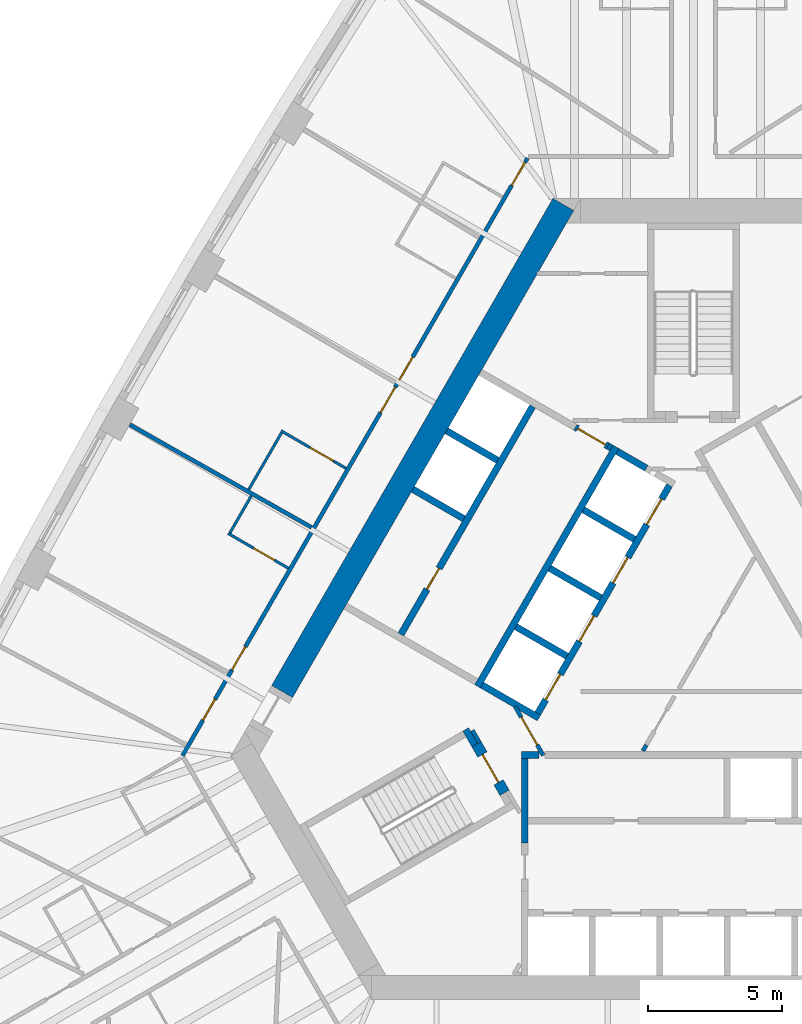
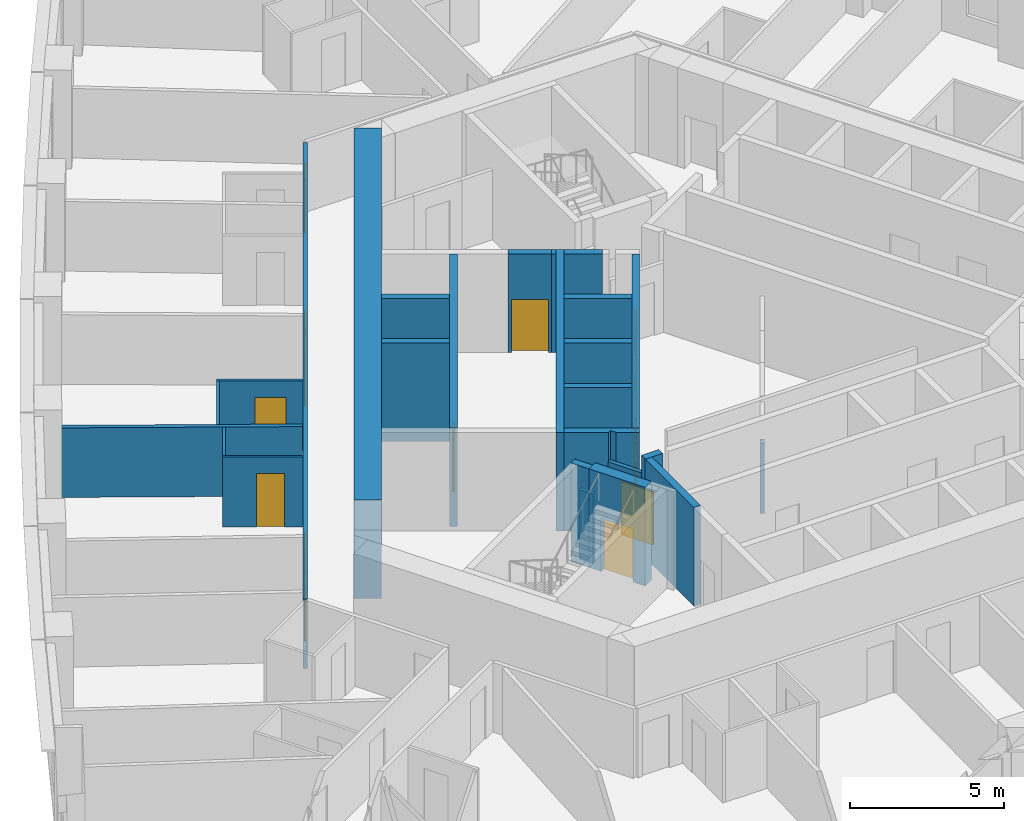
# One storey, part 5 of 13: 26 walls, 15 doors, 15 openings.
"""IFC4 building model written with IfcOpenShell, lengths in metres."""

from ifc_helpers import new_model, si_unit, direction, frame, frame_2d, origin, place, context, subcontext, project, spatial, polyline, rectangle, outline, extrude, material, layer, layer_set, type_object, element, fill, save


model = new_model("IFC4")

# Units and contexts
model_context = context("Model", 3, precision=1e-05, world=origin(), true_north=direction((0.0, 1.0)))
body_context = subcontext(model_context, "Body", "Model", "MODEL_VIEW")
ifc_project = project(units=[si_unit("LENGTHUNIT", "METRE"), si_unit("AREAUNIT", "SQUARE_METRE"), si_unit("VOLUMEUNIT", "CUBIC_METRE"), si_unit("PLANEANGLEUNIT", "RADIAN"), si_unit("MASSUNIT", "GRAM", prefix="KILO")], contexts=[model_context])

# Site, building, storey
site_placement = place(None, origin())
site = spatial("IfcSite", under=ifc_project, at=site_placement, CompositionType="ELEMENT")
building_placement = place(site_placement, origin())
building = spatial("IfcBuilding", under=site, at=building_placement, Name="Mestral Congress Tower", CompositionType="ELEMENT")
storey_placement = place(building_placement, frame((0.0, 0.0, 27.60009765625)))
storey = spatial("IfcBuildingStorey", under=building, at=storey_placement, Name="L05", CompositionType="ELEMENT", Elevation=27.60009765625)

# Walls
ifc_material_1 = material(Name="Fire-rated board partition")
ifc_layer_1 = layer(ifc_material_1, 0.14990234375)
ifc_layer_set_1 = layer_set([ifc_layer_1], Name="Fire-rated board partition")
wall_type_1 = type_object("IfcWallType", Name="Core partition 150", PredefinedType="PARTITIONING", material=ifc_layer_set_1)
wall_1_placement = place(storey_placement, frame((-1.886962890625, -3.71826171875, 0.0), z_axis=(0.0, 0.0, 1.0), x_axis=(0.500165633897, 0.865929753888, 0.0)))
element("IfcWall", 1, at=wall_1_placement, inside=storey, type_object=wall_type_1, Name="L05 core wall", PredefinedType="PARTITIONING", context=body_context, shape_type="SweptSolid", body=[
    extrude(rectangle(XDim=0.25439453125, YDim=0.14990234375, at=frame_2d((0.127197265625, 0.0))), origin(), (0.0, 0.0, 1.0), 2.75),
])
wall_2_placement = place(storey_placement, frame((-8.251953125, -2.958251953125, 0.0), z_axis=(0.0, 0.0, 1.0), x_axis=(0.500174715838, -0.865924508047, 0.0)))
element("IfcWall", 2, at=wall_2_placement, inside=storey, type_object=wall_type_1, Name="L05 core wall", PredefinedType="PARTITIONING", context=body_context, shape_type="SweptSolid", body=[
    extrude(rectangle(XDim=0.513916015625, YDim=0.14990234375, at=frame_2d((0.2568359375, 0.0))), origin(), (0.0, 0.0, 1.0), 2.75),
])

# Wall, opening, door
wall_3_placement = place(storey_placement, frame((-5.606201171875, -3.8896484375, 0.0), z_axis=(0.0, 0.0, 1.0), x_axis=(-0.500027713859, 0.866009402589, 0.0)))
wall_3 = element("IfcWall", 3, at=wall_3_placement, inside=storey, type_object=wall_type_1, Name="L05 door wall", PredefinedType="PARTITIONING", context=body_context, shape_type="SweptSolid", body=[
    extrude(rectangle(XDim=2.10009765625, YDim=0.14990234375, at=frame_2d((1.050048828125, 0.0))), origin(), (0.0, 0.0, 1.0), 2.75),
])
opening_1_placement = place(wall_3_placement, frame((0.449951171875, 0.0, 0.0)))
opening_1 = element("IfcOpeningElement", 4, at=opening_1_placement, cuts=wall_3, Name="Opening CD3-FF", PredefinedType="OPENING", context=body_context, shape_type="SweptSolid", body=[
    extrude(rectangle(XDim=1.199951171875, YDim=2.10009765625, at=frame_2d((0.60009765625, 1.050048828125))), frame((0.0, 0.0849609375, 0.0), z_axis=(0.0, -1.0, 0.0), x_axis=(1.0, 0.0, 0.0)), (0.0, 0.0, 1.0), 0.169921875),
])
ifc_material_2 = material(Name="Fire-rated steel door set", Category="steel")
door_type_1 = type_object("IfcDoorType", Name="Core door CD 1200x2100", OperationType="SINGLE_SWING_LEFT", PredefinedType="DOOR", material=ifc_material_2)
door_1_placement = place(opening_1_placement, origin())
door_1 = element("IfcDoor", 5, at=door_1_placement, inside=storey, type_object=door_type_1, Name="Door CD3-FF", OperationType="SINGLE_SWING_LEFT", OverallHeight=2.10009765625, OverallWidth=1.199951171875, PredefinedType="DOOR", context=body_context, shape_type="SweptSolid", body=[
    extrude(rectangle(XDim=1.199951171875, YDim=2.10009765625, at=frame_2d((0.60009765625, 1.050048828125))), frame((0.0, 0.02490234375, 0.0), z_axis=(0.0, -1.0, 0.0), x_axis=(1.0, 0.0, 0.0)), (0.0, 0.0, 1.0), 0.050048828125),
])
fill(opening_1, door_1)

# Wall
ifc_material_3 = material(Name="Concrete C60/75", Category="concrete")
ifc_layer_2 = layer(ifc_material_3, 0.89990234375)
ifc_layer_set_2 = layer_set([ifc_layer_2], Name="Concrete C60/75")
wall_type_2 = type_object("IfcWallType", Name="Core wall RC 900", PredefinedType="SOLIDWALL", material=ifc_layer_set_2)
wall_4_placement = place(storey_placement, frame((-15.359619140625, -1.50341796875, 0.0), z_axis=(0.0, 0.0, 1.0), x_axis=(0.50000389221, 0.866023156604, 0.0)))
element("IfcWall", 6, at=wall_4_placement, inside=storey, type_object=wall_type_2, Name="L05 core wall", PredefinedType="SOLIDWALL", context=body_context, shape_type="SweptSolid", body=[
    extrude(rectangle(XDim=21.000244140625, YDim=0.89990234375, at=frame_2d((10.5, 0.0))), origin(), (0.0, 0.0, 1.0), 3.89990234375),
])

# Wall, opening, door
ifc_material_4 = material(Name="Gypsum board partition on metal studs with mineral wool", Category="composite")
ifc_layer_3 = layer(ifc_material_4, 0.10009765625)
ifc_layer_set_3 = layer_set([ifc_layer_3], Name="Gypsum board partition on metal studs with mineral wool")
wall_type_3 = type_object("IfcWallType", Name="Hotel partition wall 100", PredefinedType="PARTITIONING", material=ifc_layer_set_3)
wall_5_placement = place(storey_placement, frame((-12.972412109375, 6.830810546875, 0.0), z_axis=(0.0, 0.0, 1.0), x_axis=(-0.866018616679, 0.500011755427, 0.0)))
wall_5 = element("IfcWall", 7, at=wall_5_placement, inside=storey, type_object=wall_type_3, Name="L05-h-pod25a", PredefinedType="PARTITIONING", context=body_context, shape_type="SweptSolid", body=[
    extrude(rectangle(XDim=2.80029296875, YDim=0.10009765625, at=frame_2d((1.400146484375, 0.0))), origin(), (0.0, 0.0, 1.0), 2.75),
])
opening_2_placement = place(wall_5_placement, frame((0.550048828125, 0.0, 0.0)))
opening_2 = element("IfcOpeningElement", 8, at=opening_2_placement, cuts=wall_5, Name="Opening H01-048", PredefinedType="OPENING", context=body_context, shape_type="SweptSolid", body=[
    extrude(rectangle(XDim=1.0, YDim=2.10009765625, at=frame_2d((0.5, 1.050048828125))), frame((0.0, 0.06005859375, 0.0), z_axis=(0.0, -1.0, 0.0), x_axis=(1.0, 0.0, 0.0)), (0.0, 0.0, 1.0), 0.1201171875),
])
ifc_material_5 = material(Name="Timber veneer door leaf in timber frame", Category="wood")
door_type_2 = type_object("IfcDoorType", Name="Accessible bathroom door 1000", OperationType="SINGLE_SWING_LEFT", PredefinedType="DOOR", material=ifc_material_5)
door_2_placement = place(opening_2_placement, origin())
door_2 = element("IfcDoor", 9, at=door_2_placement, inside=storey, type_object=door_type_2, Name="L05-h-d048", OperationType="SINGLE_SWING_LEFT", OverallHeight=2.10009765625, OverallWidth=1.0, PredefinedType="DOOR", context=body_context, shape_type="SweptSolid", body=[
    extrude(rectangle(XDim=1.0, YDim=2.10009765625, at=frame_2d((0.5, 1.050048828125))), frame((0.0, 0.02490234375, 0.0), z_axis=(0.0, -1.0, 0.0), x_axis=(1.0, 0.0, 0.0)), (0.0, 0.0, 1.0), 0.050048828125),
])
fill(opening_2, door_2)

# Wall
wall_6_placement = place(storey_placement, frame((-15.379150390625, 8.16259765625, 0.0), z_axis=(0.0, 0.0, 1.0), x_axis=(-0.499987006516, -0.866032905446, 0.0)))
element("IfcWall", 10, at=wall_6_placement, inside=storey, type_object=wall_type_3, Name="L05-h-pod25b", PredefinedType="PARTITIONING", context=body_context, shape_type="SweptSolid", body=[
    extrude(rectangle(XDim=2.44970703125, YDim=0.10009765625, at=frame_2d((1.224853515625, 0.0))), origin(), (0.0, 0.0, 1.0), 2.75),
])

# Wall, opening, door
wall_7_placement = place(storey_placement, frame((-17.377685546875, 4.40087890625, 0.0), z_axis=(0.0, 0.0, 1.0), x_axis=(0.865997922154, -0.500047596559, 0.0)))
wall_7 = element("IfcWall", 11, at=wall_7_placement, inside=storey, type_object=wall_type_3, Name="L05-h-pod26a", PredefinedType="PARTITIONING", context=body_context, shape_type="SweptSolid", body=[
    extrude(rectangle(XDim=2.599853515625, YDim=0.10009765625, at=frame_2d((1.2998046875, 0.0))), origin(), (0.0, 0.0, 1.0), 2.75),
])
opening_3_placement = place(wall_7_placement, frame((1.10009765625, 0.0, 0.0)))
opening_3 = element("IfcOpeningElement", 12, at=opening_3_placement, cuts=wall_7, Name="Opening H01-050", PredefinedType="OPENING", context=body_context, shape_type="SweptSolid", body=[
    extrude(rectangle(XDim=0.89990234375, YDim=2.10009765625, at=frame_2d((0.449951171875, 1.050048828125))), frame((0.0, 0.06005859375, 0.0), z_axis=(0.0, -1.0, 0.0), x_axis=(1.0, 0.0, 0.0)), (0.0, 0.0, 1.0), 0.1201171875),
])
door_type_3 = type_object("IfcDoorType", Name="Bathroom door 900", OperationType="SINGLE_SWING_LEFT", PredefinedType="DOOR", material=ifc_material_5)
door_3_placement = place(opening_3_placement, origin())
door_3 = element("IfcDoor", 13, at=door_3_placement, inside=storey, type_object=door_type_3, Name="L05-h-d050", OperationType="SINGLE_SWING_LEFT", OverallHeight=2.10009765625, OverallWidth=0.89990234375, PredefinedType="DOOR", context=body_context, shape_type="SweptSolid", body=[
    extrude(rectangle(XDim=0.89990234375, YDim=2.10009765625, at=frame_2d((0.449951171875, 1.050048828125))), frame((0.0, 0.02490234375, 0.0), z_axis=(0.0, -1.0, 0.0), x_axis=(1.0, 0.0, 0.0)), (0.0, 0.0, 1.0), 0.050048828125),
])
fill(opening_3, door_3)

# Wall
wall_8_placement = place(storey_placement, frame((-17.309326171875, 4.419189453125, 0.0), z_axis=(0.0, 0.0, 1.0), x_axis=(0.499880961361, 0.866094119867, 0.0)))
element("IfcWall", 14, at=wall_8_placement, inside=storey, type_object=wall_type_3, Name="L05-h-pod26b", PredefinedType="PARTITIONING", context=body_context, shape_type="SweptSolid", body=[
    extrude(rectangle(XDim=1.60009765625, YDim=0.10009765625, at=frame_2d((0.800048828125, 0.0))), origin(), (0.0, 0.0, 1.0), 2.75),
])

# Wall, openings, doors
ifc_layer_4 = layer(ifc_material_4, 0.14990234375)
ifc_layer_set_4 = layer_set([ifc_layer_4], Name="Gypsum board partition on metal studs with mineral wool")
wall_type_4 = type_object("IfcWallType", Name="Hotel partition wall 150", PredefinedType="PARTITIONING", material=ifc_layer_set_4)
wall_9_placement = place(storey_placement, frame((-19.081298828125, -3.89990234375, 0.0), z_axis=(0.0, 0.0, 1.0), x_axis=(0.499998313975, 0.866026377209, 0.0)))
wall_9 = element("IfcWall", 15, at=wall_9_placement, inside=storey, type_object=wall_type_4, Name="L05-h-cw08", PredefinedType="PARTITIONING", context=body_context, shape_type="SweptSolid", body=[
    extrude(rectangle(XDim=25.76611328125, YDim=0.14990234375, at=frame_2d((12.883056640625, 0.0))), origin(), (0.0, 0.0, 1.0), 2.75),
])
opening_4_placement = place(wall_9_placement, frame((24.58642578125, 0.0, 0.0)))
opening_4 = element("IfcOpeningElement", 16, at=opening_4_placement, cuts=wall_9, Name="Opening H01-043", PredefinedType="OPENING", context=body_context, shape_type="SweptSolid", body=[
    extrude(rectangle(XDim=1.0, YDim=2.10009765625, at=frame_2d((0.5, 1.050048828125))), frame((0.0, 0.0849609375, 0.0), z_axis=(0.0, -1.0, 0.0), x_axis=(1.0, 0.0, 0.0)), (0.0, 0.0, 1.0), 0.169921875),
])
opening_5_placement = place(wall_9_placement, frame((16.19580078125, 0.0, 0.0)))
opening_5 = element("IfcOpeningElement", 17, at=opening_5_placement, cuts=wall_9, Name="Opening H01-045", PredefinedType="OPENING", context=body_context, shape_type="SweptSolid", body=[
    extrude(rectangle(XDim=1.0, YDim=2.10009765625, at=frame_2d((0.5, 1.050048828125))), frame((0.0, 0.0849609375, 0.0), z_axis=(0.0, -1.0, 0.0), x_axis=(1.0, 0.0, 0.0)), (0.0, 0.0, 1.0), 0.169921875),
])
opening_6_placement = place(wall_9_placement, frame((14.788818359375, 0.0, 0.0)))
opening_6 = element("IfcOpeningElement", 18, at=opening_6_placement, cuts=wall_9, Name="Opening H01-047", PredefinedType="OPENING", context=body_context, shape_type="SweptSolid", body=[
    extrude(rectangle(XDim=1.10009765625, YDim=2.10009765625, at=frame_2d((0.550048828125, 1.050048828125))), frame((0.0, 0.0849609375, 0.0), z_axis=(0.0, -1.0, 0.0), x_axis=(1.0, 0.0, 0.0)), (0.0, 0.0, 1.0), 0.169921875),
])
opening_7_placement = place(wall_9_placement, frame((3.6982421875, 0.0, 0.0)))
opening_7 = element("IfcOpeningElement", 19, at=opening_7_placement, cuts=wall_9, Name="Opening H01-049", PredefinedType="OPENING", context=body_context, shape_type="SweptSolid", body=[
    extrude(rectangle(XDim=1.0, YDim=2.10009765625, at=frame_2d((0.5, 1.050048828125))), frame((0.0, 0.0849609375, 0.0), z_axis=(0.0, -1.0, 0.0), x_axis=(1.0, 0.0, 0.0)), (0.0, 0.0, 1.0), 0.169921875),
])
opening_8_placement = place(wall_9_placement, frame((1.531494140625, 0.0, 0.0)))
opening_8 = element("IfcOpeningElement", 20, at=opening_8_placement, cuts=wall_9, Name="Opening H01-051", PredefinedType="OPENING", context=body_context, shape_type="SweptSolid", body=[
    extrude(rectangle(XDim=0.89990234375, YDim=2.10009765625, at=frame_2d((0.449951171875, 1.050048828125))), frame((0.0, 0.0849609375, 0.0), z_axis=(0.0, -1.0, 0.0), x_axis=(1.0, 0.0, 0.0)), (0.0, 0.0, 1.0), 0.169921875),
])
ifc_material_6 = material(Name="Timber veneer door leaf in metal frame", Category="wood")
door_type_4 = type_object("IfcDoorType", Name="Accessible room entrance door 1100", OperationType="SINGLE_SWING_LEFT", PredefinedType="DOOR", material=ifc_material_6)
door_4_placement = place(opening_6_placement, origin())
door_4 = element("IfcDoor", 21, at=door_4_placement, inside=storey, type_object=door_type_4, Name="L05-h-d047", OperationType="SINGLE_SWING_RIGHT", OverallHeight=2.10009765625, OverallWidth=1.10009765625, PredefinedType="DOOR", context=body_context, shape_type="SweptSolid", body=[
    extrude(rectangle(XDim=1.10009765625, YDim=2.10009765625, at=frame_2d((0.550048828125, 1.050048828125))), frame((0.0, 0.02490234375, 0.0), z_axis=(0.0, -1.0, 0.0), x_axis=(1.0, 0.0, 0.0)), (0.0, 0.0, 1.0), 0.050048828125),
])
fill(opening_6, door_4)
door_type_5 = type_object("IfcDoorType", Name="Guest room entrance door 1000", OperationType="SINGLE_SWING_LEFT", PredefinedType="DOOR", material=ifc_material_6)
door_5_placement = place(opening_4_placement, origin())
door_5 = element("IfcDoor", 22, at=door_5_placement, inside=storey, type_object=door_type_5, Name="L05-h-d043", OperationType="SINGLE_SWING_RIGHT", OverallHeight=2.10009765625, OverallWidth=1.0, PredefinedType="DOOR", context=body_context, shape_type="SweptSolid", body=[
    extrude(rectangle(XDim=1.0, YDim=2.10009765625, at=frame_2d((0.5, 1.050048828125))), frame((0.0, 0.02490234375, 0.0), z_axis=(0.0, -1.0, 0.0), x_axis=(1.0, 0.0, 0.0)), (0.0, 0.0, 1.0), 0.050048828125),
])
fill(opening_4, door_5)
door_6_placement = place(opening_5_placement, origin())
door_6 = element("IfcDoor", 23, at=door_6_placement, inside=storey, type_object=door_type_5, Name="L05-h-d045", OperationType="SINGLE_SWING_LEFT", OverallHeight=2.10009765625, OverallWidth=1.0, PredefinedType="DOOR", context=body_context, shape_type="SweptSolid", body=[
    extrude(rectangle(XDim=1.0, YDim=2.10009765625, at=frame_2d((0.5, 1.050048828125))), frame((0.0, 0.02490234375, 0.0), z_axis=(0.0, -1.0, 0.0), x_axis=(1.0, 0.0, 0.0)), (0.0, 0.0, 1.0), 0.050048828125),
])
fill(opening_5, door_6)
door_7_placement = place(opening_7_placement, origin())
door_7 = element("IfcDoor", 24, at=door_7_placement, inside=storey, type_object=door_type_5, Name="L05-h-d049", OperationType="SINGLE_SWING_LEFT", OverallHeight=2.10009765625, OverallWidth=1.0, PredefinedType="DOOR", context=body_context, shape_type="SweptSolid", body=[
    extrude(rectangle(XDim=1.0, YDim=2.10009765625, at=frame_2d((0.5, 1.050048828125))), frame((0.0, 0.02490234375, 0.0), z_axis=(0.0, -1.0, 0.0), x_axis=(1.0, 0.0, 0.0)), (0.0, 0.0, 1.0), 0.050048828125),
])
fill(opening_7, door_7)
door_type_6 = type_object("IfcDoorType", Name="Service room door 900", OperationType="SINGLE_SWING_LEFT", PredefinedType="DOOR", material=ifc_material_6)
door_8_placement = place(opening_8_placement, origin())
door_8 = element("IfcDoor", 25, at=door_8_placement, inside=storey, type_object=door_type_6, Name="L05-h-d051", OperationType="SINGLE_SWING_LEFT", OverallHeight=2.10009765625, OverallWidth=0.89990234375, PredefinedType="DOOR", context=body_context, shape_type="SweptSolid", body=[
    extrude(rectangle(XDim=0.89990234375, YDim=2.10009765625, at=frame_2d((0.449951171875, 1.050048828125))), frame((0.0, 0.02490234375, 0.0), z_axis=(0.0, -1.0, 0.0), x_axis=(1.0, 0.0, 0.0)), (0.0, 0.0, 1.0), 0.050048828125),
])
fill(opening_8, door_8)

# Walls
wall_10_placement = place(storey_placement, frame((-21.051513671875, 8.464111328125, 0.0), z_axis=(0.0, 0.0, 1.0), x_axis=(0.87059371954, -0.492002617368, 0.0)))
element("IfcWall", 26, at=wall_10_placement, inside=storey, type_object=wall_type_4, Name="L05-h-pw08", PredefinedType="PARTITIONING", context=body_context, shape_type="SweptSolid", body=[
    extrude(rectangle(XDim=7.803466796875, YDim=0.14990234375, at=frame_2d((3.90185546875, 0.0))), origin(), (0.0, 0.0, 1.0), 2.75),
])
ifc_layer_5 = layer(ifc_material_3, 0.25)
ifc_layer_set_5 = layer_set([ifc_layer_5], Name="Concrete C60/75")
wall_type_5 = type_object("IfcWallType", Name="Shaft wall RC 250", PredefinedType="SOLIDWALL", material=ifc_layer_set_5)
wall_11_placement = place(storey_placement, frame((-6.425048828125, -3.875, 0.0), z_axis=(0.0, 0.0, 1.0), x_axis=(1.0, 0.0, 0.0)))
element("IfcWall", 27, at=wall_11_placement, inside=storey, type_object=wall_type_5, Name="L05 core wall", PredefinedType="SOLIDWALL", context=body_context, shape_type="SweptSolid", body=[
    extrude(rectangle(XDim=0.657958984375, YDim=0.25, at=frame_2d((0.3291015625, 0.0))), origin(), (0.0, 0.0, 1.0), 3.89990234375),
])
wall_12_placement = place(storey_placement, frame((-6.300048828125, -4.0, 0.0), z_axis=(0.0, 0.0, 1.0), x_axis=(0.0, -1.0, 0.0)))
element("IfcWall", 28, at=wall_12_placement, inside=storey, type_object=wall_type_5, Name="L05 core wall", PredefinedType="SOLIDWALL", context=body_context, shape_type="SweptSolid", body=[
    extrude(rectangle(XDim=3.154296875, YDim=0.25, at=frame_2d((1.5771484375, 0.0))), origin(), (0.0, 0.0, 1.0), 3.89990234375),
])
wall_13_placement = place(storey_placement, frame((-8.06005859375, -1.310546875, 0.0), z_axis=(0.0, 0.0, 1.0), x_axis=(0.50000273126, 0.866023826885, 0.0)))
element("IfcWall", 29, at=wall_13_placement, inside=storey, type_object=wall_type_5, Name="L05 core wall", PredefinedType="SOLIDWALL", context=body_context, shape_type="SweptSolid", body=[
    extrude(rectangle(XDim=10.330078125, YDim=0.25, at=frame_2d((5.1650390625, 0.0))), origin(), (0.0, 0.0, 1.0), 3.89990234375),
])
wall_14_placement = place(storey_placement, frame((-1.760009765625, 6.835693359375, 0.0), z_axis=(0.0, 0.0, 1.0), x_axis=(-0.865952863304, 0.500125622755, 0.0)))
element("IfcWall", 30, at=wall_14_placement, inside=storey, type_object=wall_type_5, Name="L05 core wall", PredefinedType="SOLIDWALL", context=body_context, shape_type="SweptSolid", body=[
    extrude(rectangle(XDim=1.258056640625, YDim=0.25, at=frame_2d((0.62890625, 0.0))), origin(), (0.0, 0.0, 1.0), 3.89990234375),
])
for number, where, z_axis, x_axis, name in (
    (31, (-2.2041015625, 4.182373046875, 0.0), (0.0, 0.0, 1.0), (-0.866008176907, 0.50002983664, 0.0), "L05 core wall"),
    (32, (-5.369384765625, 3.10009765625, 0.0), (0.0, 0.0, 1.0), (0.866008176907, -0.50002983664, 0.0), "L05 core wall"),
    (33, (-4.72412109375, -0.182373046875, 0.0), (0.0, 0.0, 1.0), (-0.866008176907, 0.50002983664, 0.0), "L05 core wall"),
):
    element("IfcWall", number, at=place(storey_placement, frame(where, z_axis=z_axis, x_axis=x_axis)), inside=storey, type_object=wall_type_5, Name=name, PredefinedType="SOLIDWALL", context=body_context, shape_type="SweptSolid", body=[
        extrude(rectangle(XDim=2.199951171875, YDim=0.25, at=frame_2d((1.10009765625, 0.0))), origin(), (0.0, 0.0, 1.0), 3.89990234375),
    ])
placement = place(storey_placement, origin())
element("IfcWall", 34, at=placement, inside=storey, type_object=wall_type_5, Name="L05 core wall", PredefinedType="SOLIDWALL", context=body_context, shape_type="SweptSolid", body=[
    extrude(outline(polyline([(-5.921630859375, -2.256591796875), (-5.921630859375, -2.256591796875), (-5.705078125, -2.381591796875), (-5.830078125, -2.597900390625), (-6.48291015625, -2.22119140625), (-6.59130859375, -2.033447265625), (-6.59130859375, -2.033447265625), (-6.69970703125, -2.095947265625), (-7.951904296875, -1.373046875), (-7.826904296875, -1.156494140625), (-5.921630859375, -2.256591796875)])), origin(), (0.0, 0.0, 1.0), 3.89990234375),
])
element("IfcWall", 35, at=placement, inside=storey, type_object=wall_type_5, Name="L05 core wall", PredefinedType="SOLIDWALL", context=body_context, shape_type="SweptSolid", body=[
    extrude(outline(polyline([(-3.12841796875, 7.4814453125), (-3.2587890625, 7.556640625), (-3.1337890625, 7.773193359375), (-3.00341796875, 7.697998046875), (-3.12841796875, 7.4814453125)])), origin(), (0.0, 0.0, 1.0), 3.89990234375),
])
for number, where, z_axis, x_axis, name in (
    (36, (-8.57373046875, 4.949951171875, 0.0), (0.0, 0.0, 1.0), (-0.866008176907, 0.50002983664, 0.0), "L05 core wall"),
    (37, (-7.313720703125, 7.13232421875, 0.0), (0.0, 0.0, 1.0), (-0.866008176907, 0.50002983664, 0.0), "L05 core wall"),
):
    element("IfcWall", number, at=place(storey_placement, frame(where, z_axis=z_axis, x_axis=x_axis)), inside=storey, type_object=wall_type_5, Name=name, PredefinedType="SOLIDWALL", context=body_context, shape_type="SweptSolid", body=[
        extrude(rectangle(XDim=2.199951171875, YDim=0.25, at=frame_2d((1.10009765625, 0.0))), origin(), (0.0, 0.0, 1.0), 3.89990234375),
    ])

# Wall, opening, door
wall_17_placement = place(storey_placement, frame((-6.0078125, 9.14404296875, 0.0), z_axis=(0.0, 0.0, 1.0), x_axis=(-0.500006956611, -0.866021387346, 0.0)))
wall_17 = element("IfcWall", 38, at=wall_17_placement, inside=storey, type_object=wall_type_5, Name="L05 door wall", PredefinedType="SOLIDWALL", context=body_context, shape_type="SweptSolid", body=[
    extrude(rectangle(XDim=9.829833984375, YDim=0.25, at=frame_2d((4.9150390625, 0.0))), origin(), (0.0, 0.0, 1.0), 3.89990234375),
])
opening_9_placement = place(wall_17_placement, frame((6.985107421875, 0.0, 0.0)))
opening_9 = element("IfcOpeningElement", 39, at=opening_9_placement, cuts=wall_17, Name="Opening SR-NWA2", PredefinedType="OPENING", context=body_context, shape_type="SweptSolid", body=[
    extrude(rectangle(XDim=0.89990234375, YDim=2.10009765625, at=frame_2d((0.449951171875, 1.050048828125))), frame((0.0, 0.135009765625, 0.0), z_axis=(0.0, -1.0, 0.0), x_axis=(1.0, 0.0, 0.0)), (0.0, 0.0, 1.0), 0.27001953125),
])
door_type_7 = type_object("IfcDoorType", Name="Core door SR 900x2100", OperationType="SINGLE_SWING_LEFT", PredefinedType="DOOR", material=ifc_material_2)
door_9_placement = place(opening_9_placement, origin())
door_9 = element("IfcDoor", 40, at=door_9_placement, inside=storey, type_object=door_type_7, Name="Door SR-NWA2", OperationType="SINGLE_SWING_LEFT", OverallHeight=2.10009765625, OverallWidth=0.89990234375, PredefinedType="DOOR", context=body_context, shape_type="SweptSolid", body=[
    extrude(rectangle(XDim=0.89990234375, YDim=2.10009765625, at=frame_2d((0.449951171875, 1.050048828125))), frame((0.0, 0.02490234375, 0.0), z_axis=(0.0, -1.0, 0.0), x_axis=(1.0, 0.0, 0.0)), (0.0, 0.0, 1.0), 0.050048828125),
])
fill(opening_9, door_9)

# Wall, openings, doors
wall_18_placement = place(storey_placement, frame((-0.898193359375, 6.194091796875, 0.0), z_axis=(0.0, 0.0, 1.0), x_axis=(-0.499996202215, -0.866027596426, 0.0)))
wall_18 = element("IfcWall", 41, at=wall_18_placement, inside=storey, type_object=wall_type_5, Name="L05 door wall", PredefinedType="SOLIDWALL", context=body_context, shape_type="SweptSolid", body=[
    extrude(rectangle(XDim=9.830078125, YDim=0.25, at=frame_2d((4.9150390625, 0.0))), origin(), (0.0, 0.0, 1.0), 3.89990234375),
])
opening_10_placement = place(wall_18_placement, frame((0.5849609375, 0.0, 0.0)))
opening_10 = element("IfcOpeningElement", 42, at=opening_10_placement, cuts=wall_18, Name="Opening LD-NWB1", PredefinedType="OPENING", context=body_context, shape_type="SweptSolid", body=[
    extrude(rectangle(XDim=1.10009765625, YDim=2.10009765625, at=frame_2d((0.550048828125, 1.050048828125))), frame((0.0, 0.135009765625, 0.0), z_axis=(0.0, -1.0, 0.0), x_axis=(1.0, 0.0, 0.0)), (0.0, 0.0, 1.0), 0.27001953125),
])
opening_11_placement = place(wall_18_placement, frame((3.10498046875, 0.0, 0.0)))
opening_11 = element("IfcOpeningElement", 43, at=opening_11_placement, cuts=wall_18, Name="Opening LD-NWB2", PredefinedType="OPENING", context=body_context, shape_type="SweptSolid", body=[
    extrude(rectangle(XDim=1.10009765625, YDim=2.10009765625, at=frame_2d((0.550048828125, 1.050048828125))), frame((0.0, 0.135009765625, 0.0), z_axis=(0.0, -1.0, 0.0), x_axis=(1.0, 0.0, 0.0)), (0.0, 0.0, 1.0), 0.27001953125),
])
opening_12_placement = place(wall_18_placement, frame((5.625, 0.0, 0.0)))
opening_12 = element("IfcOpeningElement", 44, at=opening_12_placement, cuts=wall_18, Name="Opening LD-NWB3", PredefinedType="OPENING", context=body_context, shape_type="SweptSolid", body=[
    extrude(rectangle(XDim=1.10009765625, YDim=2.10009765625, at=frame_2d((0.550048828125, 1.050048828125))), frame((0.0, 0.135009765625, 0.0), z_axis=(0.0, -1.0, 0.0), x_axis=(1.0, 0.0, 0.0)), (0.0, 0.0, 1.0), 0.27001953125),
])
opening_13_placement = place(wall_18_placement, frame((8.14501953125, 0.0, 0.0)))
opening_13 = element("IfcOpeningElement", 45, at=opening_13_placement, cuts=wall_18, Name="Opening LD-NWB4", PredefinedType="OPENING", context=body_context, shape_type="SweptSolid", body=[
    extrude(rectangle(XDim=1.10009765625, YDim=2.10009765625, at=frame_2d((0.550048828125, 1.050048828125))), frame((0.0, 0.135009765625, 0.0), z_axis=(0.0, -1.0, 0.0), x_axis=(1.0, 0.0, 0.0)), (0.0, 0.0, 1.0), 0.27001953125),
])
door_type_8 = type_object("IfcDoorType", Name="Core door LD 1100x2100", OperationType="DOUBLE_DOOR_SLIDING", PredefinedType="DOOR", material=ifc_material_2)
door_10_placement = place(opening_10_placement, origin())
door_10 = element("IfcDoor", 46, at=door_10_placement, inside=storey, type_object=door_type_8, Name="Door LD-NWB1", OperationType="DOUBLE_DOOR_SLIDING", OverallHeight=2.10009765625, OverallWidth=1.10009765625, PredefinedType="DOOR", context=body_context, shape_type="SweptSolid", body=[
    extrude(rectangle(XDim=1.10009765625, YDim=2.10009765625, at=frame_2d((0.550048828125, 1.050048828125))), frame((0.0, 0.02490234375, 0.0), z_axis=(0.0, -1.0, 0.0), x_axis=(1.0, 0.0, 0.0)), (0.0, 0.0, 1.0), 0.050048828125),
])
fill(opening_10, door_10)
door_11_placement = place(opening_11_placement, origin())
door_11 = element("IfcDoor", 47, at=door_11_placement, inside=storey, type_object=door_type_8, Name="Door LD-NWB2", OperationType="DOUBLE_DOOR_SLIDING", OverallHeight=2.10009765625, OverallWidth=1.10009765625, PredefinedType="DOOR", context=body_context, shape_type="SweptSolid", body=[
    extrude(rectangle(XDim=1.10009765625, YDim=2.10009765625, at=frame_2d((0.550048828125, 1.050048828125))), frame((0.0, 0.02490234375, 0.0), z_axis=(0.0, -1.0, 0.0), x_axis=(1.0, 0.0, 0.0)), (0.0, 0.0, 1.0), 0.050048828125),
])
fill(opening_11, door_11)
door_12_placement = place(opening_12_placement, origin())
door_12 = element("IfcDoor", 48, at=door_12_placement, inside=storey, type_object=door_type_8, Name="Door LD-NWB3", OperationType="DOUBLE_DOOR_SLIDING", OverallHeight=2.10009765625, OverallWidth=1.10009765625, PredefinedType="DOOR", context=body_context, shape_type="SweptSolid", body=[
    extrude(rectangle(XDim=1.10009765625, YDim=2.10009765625, at=frame_2d((0.550048828125, 1.050048828125))), frame((0.0, 0.02490234375, 0.0), z_axis=(0.0, -1.0, 0.0), x_axis=(1.0, 0.0, 0.0)), (0.0, 0.0, 1.0), 0.050048828125),
])
fill(opening_12, door_12)
door_13_placement = place(opening_13_placement, origin())
door_13 = element("IfcDoor", 49, at=door_13_placement, inside=storey, type_object=door_type_8, Name="Door LD-NWB4", OperationType="DOUBLE_DOOR_SLIDING", OverallHeight=2.10009765625, OverallWidth=1.10009765625, PredefinedType="DOOR", context=body_context, shape_type="SweptSolid", body=[
    extrude(rectangle(XDim=1.10009765625, YDim=2.10009765625, at=frame_2d((0.550048828125, 1.050048828125))), frame((0.0, 0.02490234375, 0.0), z_axis=(0.0, -1.0, 0.0), x_axis=(1.0, 0.0, 0.0)), (0.0, 0.0, 1.0), 0.050048828125),
])
fill(opening_13, door_13)

# Wall, opening, door
wall_19_placement = place(storey_placement, frame((-4.40869140625, 8.364990234375, 0.0), z_axis=(0.0, 0.0, 1.0), x_axis=(0.866034573852, -0.49998411664, 0.0)))
wall_19 = element("IfcWall", 50, at=wall_19_placement, inside=storey, type_object=wall_type_5, Name="L05 door wall", PredefinedType="SOLIDWALL", context=body_context, shape_type="SweptSolid", body=[
    extrude(rectangle(XDim=1.39990234375, YDim=0.25, at=frame_2d((0.699951171875, 0.0))), origin(), (0.0, 0.0, 1.0), 3.89990234375),
])
opening_14_placement = place(wall_19_placement, frame((0.10009765625, 0.0, 0.0)))
opening_14 = element("IfcOpeningElement", 51, at=opening_14_placement, cuts=wall_19, Name="Opening LB2-WL2", PredefinedType="OPENING", context=body_context, shape_type="SweptSolid", body=[
    extrude(rectangle(XDim=1.199951171875, YDim=2.10009765625, at=frame_2d((0.60009765625, 1.050048828125))), frame((0.0, 0.135009765625, 0.0), z_axis=(0.0, -1.0, 0.0), x_axis=(1.0, 0.0, 0.0)), (0.0, 0.0, 1.0), 0.27001953125),
])
door_type_9 = type_object("IfcDoorType", Name="Core door LB 1200x2100", OperationType="SINGLE_SWING_LEFT", PredefinedType="DOOR", material=ifc_material_2)
door_14_placement = place(opening_14_placement, origin())
door_14 = element("IfcDoor", 52, at=door_14_placement, inside=storey, type_object=door_type_9, Name="Door LB2-WL2", OperationType="SINGLE_SWING_LEFT", OverallHeight=2.10009765625, OverallWidth=1.199951171875, PredefinedType="DOOR", context=body_context, shape_type="SweptSolid", body=[
    extrude(rectangle(XDim=1.199951171875, YDim=2.10009765625, at=frame_2d((0.60009765625, 1.050048828125))), frame((0.0, 0.02490234375, 0.0), z_axis=(0.0, -1.0, 0.0), x_axis=(1.0, 0.0, 0.0)), (0.0, 0.0, 1.0), 0.050048828125),
])
fill(opening_14, door_14)

# Wall
ifc_layer_6 = layer(ifc_material_3, 0.25)
ifc_layer_set_6 = layer_set([ifc_layer_6], Name="Concrete C60/75")
wall_type_6 = type_object("IfcWallType", Name="Stair wall RC 250", PredefinedType="SOLIDWALL", material=ifc_layer_set_6)
wall_20_placement = place(storey_placement, frame((-8.167724609375, -3.503173828125, 0.0), z_axis=(0.0, 0.0, 1.0), x_axis=(-0.499952099219, 0.866053057547, 0.0)))
element("IfcWall", 53, at=wall_20_placement, inside=storey, type_object=wall_type_6, Name="L05 core wall", PredefinedType="SOLIDWALL", context=body_context, shape_type="SweptSolid", body=[
    extrude(rectangle(XDim=0.6748046875, YDim=0.25, at=frame_2d((0.33740234375, 0.0))), origin(), (0.0, 0.0, 1.0), 3.89990234375),
])

# Wall, opening, door
ifc_layer_7 = layer(ifc_material_3, 0.39990234375)
ifc_layer_set_7 = layer_set([ifc_layer_7], Name="Concrete C60/75")
wall_type_7 = type_object("IfcWallType", Name="Stair wall RC 250 door-wall 400", PredefinedType="SOLIDWALL", material=ifc_layer_set_7)
wall_21_placement = place(storey_placement, frame((-8.102783203125, -3.4658203125, 0.0), z_axis=(0.0, 0.0, 1.0), x_axis=(0.500078061341, -0.865980330357, 0.0)))
wall_21 = element("IfcWall", 54, at=wall_21_placement, inside=storey, type_object=wall_type_7, Name="L05 door wall", PredefinedType="SOLIDWALL", context=body_context, shape_type="SweptSolid", body=[
    extrude(rectangle(XDim=2.099853515625, YDim=0.39990234375, at=frame_2d((1.0498046875, 0.0))), origin(), (0.0, 0.0, 1.0), 3.89990234375),
])
opening_15_placement = place(wall_21_placement, frame((0.449951171875, 0.0, 0.0)))
opening_15 = element("IfcOpeningElement", 55, at=opening_15_placement, cuts=wall_21, Name="Opening ST-D3", PredefinedType="OPENING", context=body_context, shape_type="SweptSolid", body=[
    extrude(rectangle(XDim=1.199951171875, YDim=2.10009765625, at=frame_2d((0.60009765625, 1.050048828125))), frame((0.0, 0.2099609375, 0.0), z_axis=(0.0, -1.0, 0.0), x_axis=(1.0, 0.0, 0.0)), (0.0, 0.0, 1.0), 0.419921875),
])
door_type_10 = type_object("IfcDoorType", Name="Core door ST 1200x2100", OperationType="SINGLE_SWING_LEFT", PredefinedType="DOOR", material=ifc_material_2)
door_15_placement = place(opening_15_placement, origin())
door_15 = element("IfcDoor", 56, at=door_15_placement, inside=storey, type_object=door_type_10, Name="Door ST-D3", OperationType="SINGLE_SWING_LEFT", OverallHeight=2.10009765625, OverallWidth=1.199951171875, PredefinedType="DOOR", context=body_context, shape_type="SweptSolid", body=[
    extrude(rectangle(XDim=1.199951171875, YDim=2.10009765625, at=frame_2d((0.60009765625, 1.050048828125))), frame((0.0, 0.02490234375, 0.0), z_axis=(0.0, -1.0, 0.0), x_axis=(1.0, 0.0, 0.0)), (0.0, 0.0, 1.0), 0.050048828125),
])
fill(opening_15, door_15)

save(model, "model.ifc")
